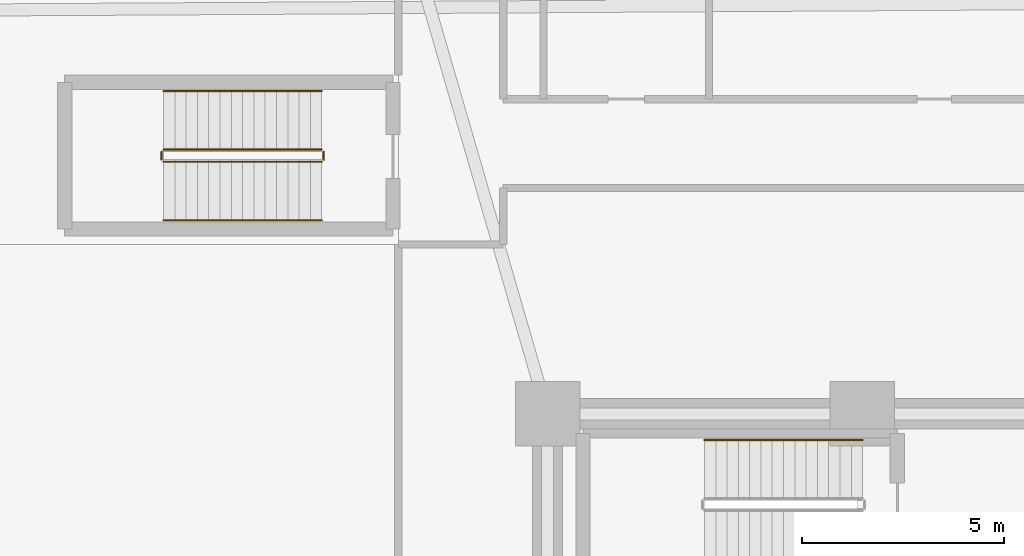
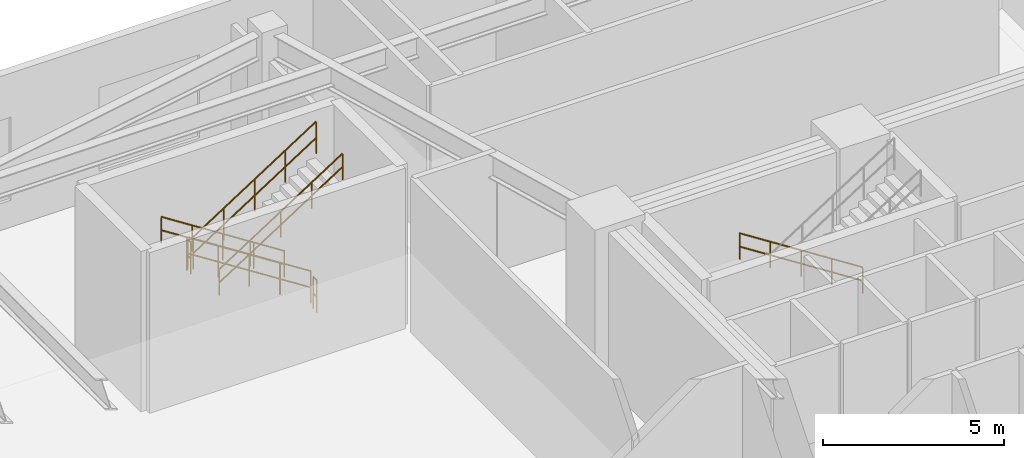
# One storey, part 14 of 16: 7 railings.
"""IFC4 building model written with IfcOpenShell, lengths in metres."""

from ifc_helpers import new_model, si_unit, direction, frame, origin, origin_2d, place, context, subcontext, project, spatial, circle, extrude, material, type_object, element, save


model = new_model("IFC4")

# Units and contexts
model_context = context("Model", 3, precision=1e-05, world=origin(), true_north=direction((0.0, 1.0)))
body_context = subcontext(model_context, "Body", "Model", "MODEL_VIEW")
ifc_project = project(units=[si_unit("LENGTHUNIT", "METRE"), si_unit("AREAUNIT", "SQUARE_METRE"), si_unit("VOLUMEUNIT", "CUBIC_METRE"), si_unit("PLANEANGLEUNIT", "RADIAN"), si_unit("MASSUNIT", "GRAM", prefix="KILO")], contexts=[model_context])

# Site, building, storey
site_placement = place(None, origin())
site = spatial("IfcSite", under=ifc_project, at=site_placement, CompositionType="ELEMENT")
building_placement = place(site_placement, origin())
building = spatial("IfcBuilding", under=site, at=building_placement, Name="An Khanh Terracotta Commons", CompositionType="ELEMENT")
storey_placement = place(building_placement, origin())
storey = spatial("IfcBuildingStorey", under=building, at=storey_placement, Name="L01", CompositionType="ELEMENT", Elevation=0.0)

# Railings
ifc_material_1 = material(Name="Brushed Stainless Steel 316", Category="steel")
railing_type_1 = type_object("IfcRailingType", Name="RAIL-HANDRAIL-900", PredefinedType="HANDRAIL", material=ifc_material_1)
for number, where, name in (
    (1, (29.409912109375, 32.949951171875, 0.179931640625), "L01 ST-01 stair handrail 1"),
    (2, (16.0, 41.60009765625, 0.179931640625), "L01 ST-P2 stair handrail 1"),
):
    element("IfcRailing", number, at=place(storey_placement, frame(where)), inside=storey, type_object=railing_type_1, Name=name, PredefinedType="HANDRAIL", context=body_context, shape_type="SweptSolid", body=[
        extrude(circle(Radius=0.02392578125, at=origin_2d()), frame((0.0, 0.0, 0.8759765625), z_axis=(-0.841171666519, 0.0, 0.540768182723), x_axis=(0.0, -1.0, 0.0)), (0.0, 0.0, 1.0), 4.66015625),
        extrude(circle(Radius=0.02392578125, at=origin_2d()), frame((0.0, 0.0, 0.42578125), z_axis=(-0.841171666519, 0.0, 0.540768182723), x_axis=(0.0, -1.0, 0.0)), (0.0, 0.0, 1.0), 4.66015625),
        extrude(circle(Radius=0.02099609375, at=origin_2d()), origin(), (0.0, 0.0, 1.0), 0.851806640625),
        extrude(circle(Radius=0.02099609375, at=origin_2d()), frame((-0.97998046875, 0.0, 0.6298828125)), (0.0, 0.0, 1.0), 0.851806640625),
        extrude(circle(Radius=0.02099609375, at=origin_2d()), frame((-1.9599609375, 0.0, 1.260009765625)), (0.0, 0.0, 1.0), 0.851806640625),
        extrude(circle(Radius=0.02099609375, at=origin_2d()), frame((-2.93994140625, 0.0, 1.89013671875)), (0.0, 0.0, 1.0), 0.851806640625),
        extrude(circle(Radius=0.02099609375, at=origin_2d()), frame((-3.919921875, 0.0, 2.52001953125)), (0.0, 0.0, 1.0), 0.851806640625),
    ])
railing_1_placement = place(storey_placement, frame((12.080078125, 38.39990234375, 2.8798828125)))
element("IfcRailing", 3, at=railing_1_placement, inside=storey, type_object=railing_type_1, Name="L01 ST-P2 stair handrail 2", PredefinedType="HANDRAIL", context=body_context, shape_type="SweptSolid", body=[
    extrude(circle(Radius=0.02392578125, at=origin_2d()), frame((0.0, 0.0, 0.8759765625), z_axis=(0.841171666519, 0.0, 0.540768182723), x_axis=(0.0, 1.0, 0.0)), (0.0, 0.0, 1.0), 4.66015625),
    extrude(circle(Radius=0.02392578125, at=origin_2d()), frame((0.0, 0.0, 0.42578125), z_axis=(0.841171666519, 0.0, 0.540768182723), x_axis=(0.0, 1.0, 0.0)), (0.0, 0.0, 1.0), 4.66015625),
    extrude(circle(Radius=0.02099609375, at=origin_2d()), origin(), (0.0, 0.0, 1.0), 0.851806640625),
    extrude(circle(Radius=0.02099609375, at=origin_2d()), frame((0.97998046875, 0.0, 0.6298828125)), (0.0, 0.0, 1.0), 0.851806640625),
    extrude(circle(Radius=0.02099609375, at=origin_2d()), frame((1.9599609375, 0.0, 1.260009765625)), (0.0, 0.0, 1.0), 0.851806640625),
    extrude(circle(Radius=0.02099609375, at=origin_2d()), frame((2.93994140625, 0.0, 1.89013671875)), (0.0, 0.0, 1.0), 0.851806640625),
    extrude(circle(Radius=0.02099609375, at=origin_2d()), frame((3.919921875, 0.0, 2.52001953125)), (0.0, 0.0, 1.0), 0.851806640625),
])
ifc_material_2 = material(Name="Powder-Coated Steel S355J2", Category="steel")
railing_type_2 = type_object("IfcRailingType", Name="RAIL-STAIR-GUARD-1100", PredefinedType="BALUSTRADE", material=ifc_material_2)
railing_2_placement = place(storey_placement, frame((16.0, 40.14990234375, 0.179931640625)))
element("IfcRailing", 4, at=railing_2_placement, inside=storey, type_object=railing_type_2, Name="L01 ST-P2 stair guard 1", PredefinedType="BALUSTRADE", context=body_context, shape_type="SweptSolid", body=[
    extrude(circle(Radius=0.02392578125, at=origin_2d()), frame((0.0, 0.0, 1.076171875), z_axis=(-0.841171666519, 0.0, 0.540768182723), x_axis=(0.0, -1.0, 0.0)), (0.0, 0.0, 1.0), 4.66015625),
    extrude(circle(Radius=0.02392578125, at=origin_2d()), frame((0.0, 0.0, 0.52587890625), z_axis=(-0.841171666519, 0.0, 0.540768182723), x_axis=(0.0, -1.0, 0.0)), (0.0, 0.0, 1.0), 4.66015625),
    extrude(circle(Radius=0.02099609375, at=origin_2d()), origin(), (0.0, 0.0, 1.0), 1.052001953125),
    extrude(circle(Radius=0.02099609375, at=origin_2d()), frame((-0.97998046875, 0.0, 0.6298828125)), (0.0, 0.0, 1.0), 1.052001953125),
    extrude(circle(Radius=0.02099609375, at=origin_2d()), frame((-1.9599609375, 0.0, 1.260009765625)), (0.0, 0.0, 1.0), 1.052001953125),
    extrude(circle(Radius=0.02099609375, at=origin_2d()), frame((-2.93994140625, 0.0, 1.89013671875)), (0.0, 0.0, 1.0), 1.052001953125),
    extrude(circle(Radius=0.02099609375, at=origin_2d()), frame((-3.919921875, 0.0, 2.52001953125)), (0.0, 0.0, 1.0), 1.052001953125),
])
railing_3_placement = place(storey_placement, frame((12.030029296875, 40.10009765625, 2.699951171875)))
element("IfcRailing", 5, at=railing_3_placement, inside=storey, type_object=railing_type_2, Name="L01 ST-P2 stair guard 2", PredefinedType="BALUSTRADE", context=body_context, shape_type="SweptSolid", body=[
    extrude(circle(Radius=0.02392578125, at=origin_2d()), frame((0.0, 0.0, 1.076171875), z_axis=(0.0, -1.0, 0.0), x_axis=(1.0, 0.0, 0.0)), (0.0, 0.0, 1.0), 0.2001953125),
    extrude(circle(Radius=0.02392578125, at=origin_2d()), frame((0.0, 0.0, 0.52587890625), z_axis=(0.0, -1.0, 0.0), x_axis=(1.0, 0.0, 0.0)), (0.0, 0.0, 1.0), 0.2001953125),
    extrude(circle(Radius=0.02099609375, at=origin_2d()), origin(), (0.0, 0.0, 1.0), 1.052001953125),
    extrude(circle(Radius=0.02099609375, at=origin_2d()), frame((0.0, -0.2001953125, 0.0)), (0.0, 0.0, 1.0), 1.052001953125),
])
railing_4_placement = place(storey_placement, frame((12.080078125, 39.85009765625, 2.8798828125)))
element("IfcRailing", 6, at=railing_4_placement, inside=storey, type_object=railing_type_2, Name="L01 ST-P2 stair guard 3", PredefinedType="BALUSTRADE", context=body_context, shape_type="SweptSolid", body=[
    extrude(circle(Radius=0.02392578125, at=origin_2d()), frame((0.0, 0.0, 1.076171875), z_axis=(0.841171666519, 0.0, 0.540768182723), x_axis=(0.0, 1.0, 0.0)), (0.0, 0.0, 1.0), 4.66015625),
    extrude(circle(Radius=0.02392578125, at=origin_2d()), frame((0.0, 0.0, 0.52587890625), z_axis=(0.841171666519, 0.0, 0.540768182723), x_axis=(0.0, 1.0, 0.0)), (0.0, 0.0, 1.0), 4.66015625),
    extrude(circle(Radius=0.02099609375, at=origin_2d()), origin(), (0.0, 0.0, 1.0), 1.052001953125),
    extrude(circle(Radius=0.02099609375, at=origin_2d()), frame((0.97998046875, 0.0, 0.6298828125)), (0.0, 0.0, 1.0), 1.052001953125),
    extrude(circle(Radius=0.02099609375, at=origin_2d()), frame((1.9599609375, 0.0, 1.260009765625)), (0.0, 0.0, 1.0), 1.052001953125),
    extrude(circle(Radius=0.02099609375, at=origin_2d()), frame((2.93994140625, 0.0, 1.89013671875)), (0.0, 0.0, 1.0), 1.052001953125),
    extrude(circle(Radius=0.02099609375, at=origin_2d()), frame((3.919921875, 0.0, 2.52001953125)), (0.0, 0.0, 1.0), 1.052001953125),
])
railing_5_placement = place(storey_placement, frame((16.050048828125, 40.10009765625, 0.0)))
element("IfcRailing", 7, at=railing_5_placement, inside=storey, type_object=railing_type_2, Name="L01 ST-P2 stair guard 4", PredefinedType="BALUSTRADE", context=body_context, shape_type="SweptSolid", body=[
    extrude(circle(Radius=0.02392578125, at=origin_2d()), frame((0.0, 0.0, 1.076171875), z_axis=(0.0, -1.0, 0.0), x_axis=(1.0, 0.0, 0.0)), (0.0, 0.0, 1.0), 0.2001953125),
    extrude(circle(Radius=0.02392578125, at=origin_2d()), frame((0.0, 0.0, 0.52587890625), z_axis=(0.0, -1.0, 0.0), x_axis=(1.0, 0.0, 0.0)), (0.0, 0.0, 1.0), 0.2001953125),
    extrude(circle(Radius=0.02099609375, at=origin_2d()), origin(), (0.0, 0.0, 1.0), 1.052001953125),
    extrude(circle(Radius=0.02099609375, at=origin_2d()), frame((0.0, -0.2001953125, 0.0)), (0.0, 0.0, 1.0), 1.052001953125),
])

save(model, "model.ifc")
